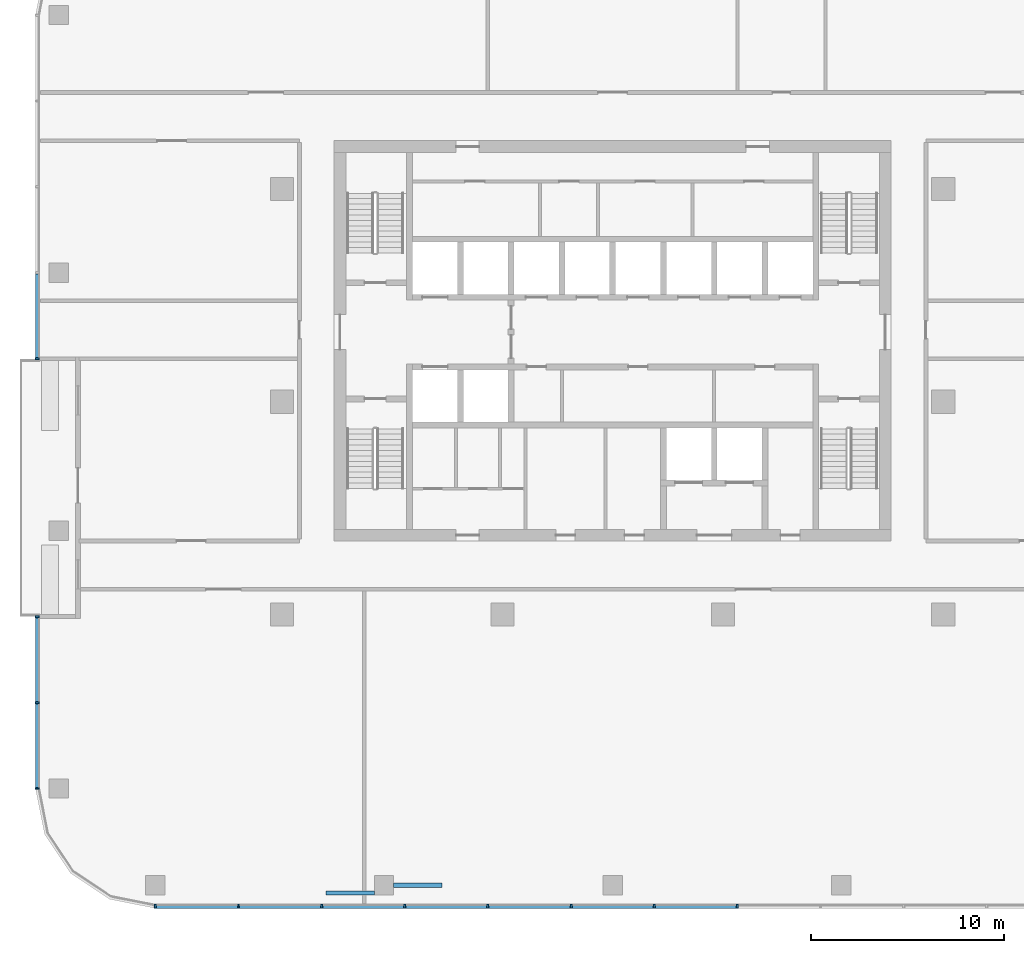
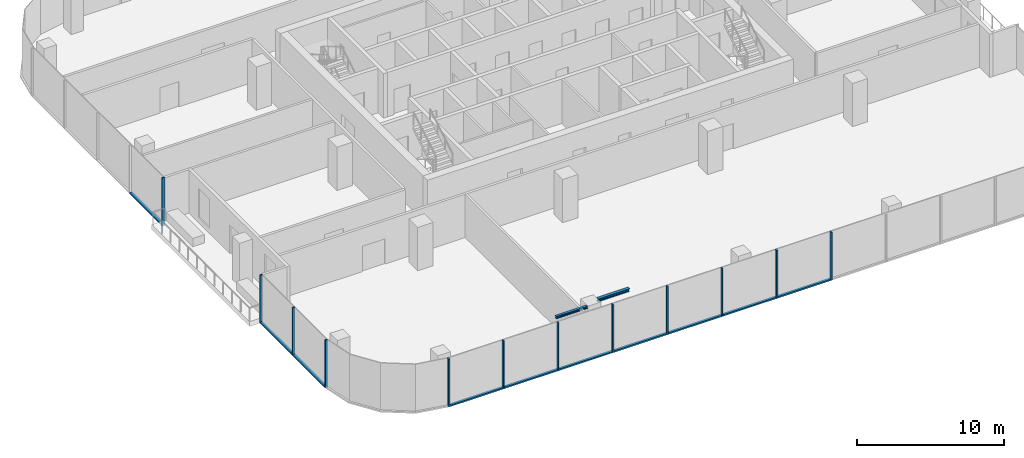
# One storey, part 2 of 13: 22 members, 2 beams, 3 elements without a shape of their own.
"""IFC4 building model written with IfcOpenShell, lengths in metres."""

from ifc_helpers import new_model, si_unit, direction, frame, origin, origin_2d, place, context, subcontext, project, spatial, rectangle, i_section, extrude, material, material_profile, profile_set, type_object, element, aggregate, save


model = new_model("IFC4")

# Units and contexts
model_context = context("Model", 3, precision=1e-05, world=origin(), true_north=direction((0.0, 1.0)))
body_context = subcontext(model_context, "Body", "Model", "MODEL_VIEW")
ifc_project = project(units=[si_unit("LENGTHUNIT", "METRE"), si_unit("AREAUNIT", "SQUARE_METRE"), si_unit("VOLUMEUNIT", "CUBIC_METRE"), si_unit("PLANEANGLEUNIT", "RADIAN"), si_unit("MASSUNIT", "GRAM", prefix="KILO")], contexts=[model_context])

# Site, building, storey
site_placement = place(None, origin())
site = spatial("IfcSite", under=ifc_project, at=site_placement, CompositionType="ELEMENT")
building_placement = place(site_placement, origin())
building = spatial("IfcBuilding", under=site, at=building_placement, Name="Mopane Tessera Tower", CompositionType="ELEMENT")
storey_placement = place(building_placement, frame((0.0, 0.0, 287.39990234375)))
storey = spatial("IfcBuildingStorey", under=building, at=storey_placement, Name="L62", CompositionType="ELEMENT", Elevation=287.39990234375)

# Curtain wall, members
ifc_material_1 = material(Name="Aluminium frame", Category="aluminium")
curtain_wall_type = type_object("IfcCurtainWallType", Name="Unitised curtain wall", PredefinedType="NOTDEFINED", material=ifc_material_1)
curtain_wall_1_placement = place(storey_placement, origin())
curtain_wall_1 = element("IfcCurtainWall", 1, at=curtain_wall_1_placement, inside=storey, type_object=curtain_wall_type, Name="e:cw:L62:S:0", PredefinedType="NOTDEFINED")
ifc_material_2 = material(Name="Aluminium frame", Category="aluminium")
ifc_material_profile_1 = material_profile(ifc_material_2, rectangle(XDim=0.10009765625, YDim=0.199951171875, at=origin_2d()))
ifc_profile_set_1 = profile_set([ifc_material_profile_1], Name="Aluminium frame")
member_type_1 = type_object("IfcMemberType", Name="Aluminium mullion 100 x 200", PredefinedType="MULLION", material=ifc_profile_set_1)
member_1_placement = place(storey_placement, frame((-23.64990234375, -26.10009765625, -0.39990234375), z_axis=(0.0, 0.0, 1.0), x_axis=(1.0, 0.0, 0.0)))
member_1 = element("IfcMember", 2, at=member_1_placement, type_object=member_type_1, Name="e:cw:L62:S:0:mu0", PredefinedType="MULLION", context=body_context, shape_type="SweptSolid", body=[
    extrude(rectangle(XDim=0.10009765625, YDim=0.199951171875, at=origin_2d()), origin(), (0.0, 0.0, 1.0), 4.0),
])
member_2_placement = place(storey_placement, frame((-19.35009765625, -26.10009765625, -0.39990234375), z_axis=(0.0, 0.0, 1.0), x_axis=(1.0, 0.0, 0.0)))
member_2 = element("IfcMember", 3, at=member_2_placement, type_object=member_type_1, Name="e:cw:L62:S:0:mu1", PredefinedType="MULLION", context=body_context, shape_type="SweptSolid", body=[
    extrude(rectangle(XDim=0.10009765625, YDim=0.199951171875, at=origin_2d()), origin(), (0.0, 0.0, 1.0), 4.0),
])
member_3_placement = place(storey_placement, frame((-15.050048828125, -26.10009765625, -0.39990234375), z_axis=(0.0, 0.0, 1.0), x_axis=(1.0, 0.0, 0.0)))
member_3 = element("IfcMember", 4, at=member_3_placement, type_object=member_type_1, Name="e:cw:L62:S:0:mu2", PredefinedType="MULLION", context=body_context, shape_type="SweptSolid", body=[
    extrude(rectangle(XDim=0.10009765625, YDim=0.199951171875, at=origin_2d()), origin(), (0.0, 0.0, 1.0), 4.0),
])
member_4_placement = place(storey_placement, frame((-10.75, -26.10009765625, -0.39990234375), z_axis=(0.0, 0.0, 1.0), x_axis=(1.0, 0.0, 0.0)))
member_4 = element("IfcMember", 5, at=member_4_placement, type_object=member_type_1, Name="e:cw:L62:S:0:mu3", PredefinedType="MULLION", context=body_context, shape_type="SweptSolid", body=[
    extrude(rectangle(XDim=0.10009765625, YDim=0.199951171875, at=origin_2d()), origin(), (0.0, 0.0, 1.0), 4.0),
])
member_5_placement = place(storey_placement, frame((-6.449951171875, -26.10009765625, -0.39990234375), z_axis=(0.0, 0.0, 1.0), x_axis=(1.0, 0.0, 0.0)))
member_5 = element("IfcMember", 6, at=member_5_placement, type_object=member_type_1, Name="e:cw:L62:S:0:mu4", PredefinedType="MULLION", context=body_context, shape_type="SweptSolid", body=[
    extrude(rectangle(XDim=0.10009765625, YDim=0.199951171875, at=origin_2d()), origin(), (0.0, 0.0, 1.0), 4.0),
])
member_6_placement = place(storey_placement, frame((-2.14990234375, -26.10009765625, -0.39990234375), z_axis=(0.0, 0.0, 1.0), x_axis=(1.0, 0.0, 0.0)))
member_6 = element("IfcMember", 7, at=member_6_placement, type_object=member_type_1, Name="e:cw:L62:S:0:mu5", PredefinedType="MULLION", context=body_context, shape_type="SweptSolid", body=[
    extrude(rectangle(XDim=0.10009765625, YDim=0.199951171875, at=origin_2d()), origin(), (0.0, 0.0, 1.0), 4.0),
])
member_7_placement = place(storey_placement, frame((2.14990234375, -26.10009765625, -0.39990234375), z_axis=(0.0, 0.0, 1.0), x_axis=(1.0, 0.0, 0.0)))
member_7 = element("IfcMember", 8, at=member_7_placement, type_object=member_type_1, Name="e:cw:L62:S:0:mu6", PredefinedType="MULLION", context=body_context, shape_type="SweptSolid", body=[
    extrude(rectangle(XDim=0.10009765625, YDim=0.199951171875, at=origin_2d()), origin(), (0.0, 0.0, 1.0), 4.0),
])
member_8_placement = place(storey_placement, frame((6.449951171875, -26.10009765625, -0.39990234375), z_axis=(0.0, 0.0, 1.0), x_axis=(1.0, 0.0, 0.0)))
member_8 = element("IfcMember", 9, at=member_8_placement, type_object=member_type_1, Name="e:cw:L62:S:0:mu7", PredefinedType="MULLION", context=body_context, shape_type="SweptSolid", body=[
    extrude(rectangle(XDim=0.10009765625, YDim=0.199951171875, at=origin_2d()), origin(), (0.0, 0.0, 1.0), 4.0),
])

# Curtain wall, member
curtain_wall_2_placement = place(storey_placement, origin())
curtain_wall_2 = element("IfcCurtainWall", 10, at=curtain_wall_2_placement, inside=storey, type_object=curtain_wall_type, Name="e:cw:L62:W:0", PredefinedType="NOTDEFINED")
member_9_placement = place(storey_placement, frame((-29.75, 2.22216796875, -0.39990234375), z_axis=(0.0, 0.0, 1.0), x_axis=(0.0, -1.0, 0.0)))
member_9 = element("IfcMember", 11, at=member_9_placement, type_object=member_type_1, Name="e:cw:L62:W:0:mu4", PredefinedType="MULLION", context=body_context, shape_type="SweptSolid", body=[
    extrude(rectangle(XDim=0.10009765625, YDim=0.199951171875, at=origin_2d()), origin(), (0.0, 0.0, 1.0), 4.0),
])

# Curtain wall, members
curtain_wall_3_placement = place(storey_placement, origin())
curtain_wall_3 = element("IfcCurtainWall", 12, at=curtain_wall_3_placement, inside=storey, type_object=curtain_wall_type, Name="e:cw:L62:W:7", PredefinedType="NOTDEFINED")
member_10_placement = place(storey_placement, frame((-29.75, -11.111083984375, -0.39990234375), z_axis=(0.0, 0.0, 1.0), x_axis=(0.0, -1.0, 0.0)))
member_10 = element("IfcMember", 13, at=member_10_placement, type_object=member_type_1, Name="e:cw:L62:W:7:mu7", PredefinedType="MULLION", context=body_context, shape_type="SweptSolid", body=[
    extrude(rectangle(XDim=0.10009765625, YDim=0.199951171875, at=origin_2d()), origin(), (0.0, 0.0, 1.0), 4.0),
])
member_11_placement = place(storey_placement, frame((-29.75, -15.5556640625, -0.39990234375), z_axis=(0.0, 0.0, 1.0), x_axis=(0.0, -1.0, 0.0)))
member_11 = element("IfcMember", 14, at=member_11_placement, type_object=member_type_1, Name="e:cw:L62:W:7:mu8", PredefinedType="MULLION", context=body_context, shape_type="SweptSolid", body=[
    extrude(rectangle(XDim=0.10009765625, YDim=0.199951171875, at=origin_2d()), origin(), (0.0, 0.0, 1.0), 4.0),
])
member_12_placement = place(storey_placement, frame((-29.75, -20.0, -0.39990234375), z_axis=(0.0, 0.0, 1.0), x_axis=(0.0, -1.0, 0.0)))
member_12 = element("IfcMember", 15, at=member_12_placement, type_object=member_type_1, Name="e:cw:L62:W:7:mu9", PredefinedType="MULLION", context=body_context, shape_type="SweptSolid", body=[
    extrude(rectangle(XDim=0.10009765625, YDim=0.199951171875, at=origin_2d()), origin(), (0.0, 0.0, 1.0), 4.0),
])

# Member
ifc_material_3 = material(Name="Aluminium frame", Category="aluminium")
ifc_material_profile_2 = material_profile(ifc_material_3, rectangle(XDim=0.199951171875, YDim=0.1201171875, at=origin_2d()))
ifc_profile_set_2 = profile_set([ifc_material_profile_2], Name="Aluminium frame")
member_type_2 = type_object("IfcMemberType", Name="Aluminium transom 200 x 120", PredefinedType="USERDEFINED", material=ifc_profile_set_2)
member_13_placement = place(storey_placement, frame((-23.60009765625, -26.10009765625, -0.33984375), z_axis=(1.0, 0.0, 0.0), x_axis=(0.0, 1.0, 0.0)))
member_13 = element("IfcMember", 16, at=member_13_placement, type_object=member_type_2, Name="e:cw:L62:S:0:tr0", ObjectType="TRANSOM", PredefinedType="USERDEFINED", context=body_context, shape_type="SweptSolid", body=[
    extrude(rectangle(XDim=0.199951171875, YDim=0.1201171875, at=origin_2d()), origin(), (0.0, 0.0, 1.0), 4.2001953125),
])

member_14_placement = place(storey_placement, frame((-19.300048828125, -26.10009765625, -0.33984375), z_axis=(1.0, 0.0, 0.0), x_axis=(0.0, 1.0, 0.0)))
member_14 = element("IfcMember", 17, at=member_14_placement, type_object=member_type_2, Name="e:cw:L62:S:0:tr1", ObjectType="TRANSOM", PredefinedType="USERDEFINED", context=body_context, shape_type="SweptSolid", body=[
    extrude(rectangle(XDim=0.199951171875, YDim=0.1201171875, at=origin_2d()), origin(), (0.0, 0.0, 1.0), 4.199951171875),
])

member_15_placement = place(storey_placement, frame((-15.0, -26.10009765625, -0.33984375), z_axis=(1.0, 0.0, 0.0), x_axis=(0.0, 1.0, 0.0)))
member_15 = element("IfcMember", 18, at=member_15_placement, type_object=member_type_2, Name="e:cw:L62:S:0:tr2", ObjectType="TRANSOM", PredefinedType="USERDEFINED", context=body_context, shape_type="SweptSolid", body=[
    extrude(rectangle(XDim=0.199951171875, YDim=0.1201171875, at=origin_2d()), origin(), (0.0, 0.0, 1.0), 4.199951171875),
])

member_16_placement = place(storey_placement, frame((-10.699951171875, -26.10009765625, -0.33984375), z_axis=(1.0, 0.0, 0.0), x_axis=(0.0, 1.0, 0.0)))
member_16 = element("IfcMember", 19, at=member_16_placement, type_object=member_type_2, Name="e:cw:L62:S:0:tr3", ObjectType="TRANSOM", PredefinedType="USERDEFINED", context=body_context, shape_type="SweptSolid", body=[
    extrude(rectangle(XDim=0.199951171875, YDim=0.1201171875, at=origin_2d()), origin(), (0.0, 0.0, 1.0), 4.199951171875),
])

member_17_placement = place(storey_placement, frame((-6.39990234375, -26.10009765625, -0.33984375), z_axis=(1.0, 0.0, 0.0), x_axis=(0.0, 1.0, 0.0)))
member_17 = element("IfcMember", 20, at=member_17_placement, type_object=member_type_2, Name="e:cw:L62:S:0:tr4", ObjectType="TRANSOM", PredefinedType="USERDEFINED", context=body_context, shape_type="SweptSolid", body=[
    extrude(rectangle(XDim=0.199951171875, YDim=0.1201171875, at=origin_2d()), origin(), (0.0, 0.0, 1.0), 4.199951171875),
])

member_18_placement = place(storey_placement, frame((-2.10009765625, -26.10009765625, -0.33984375), z_axis=(1.0, 0.0, 0.0), x_axis=(0.0, 1.0, 0.0)))
member_18 = element("IfcMember", 21, at=member_18_placement, type_object=member_type_2, Name="e:cw:L62:S:0:tr5", ObjectType="TRANSOM", PredefinedType="USERDEFINED", context=body_context, shape_type="SweptSolid", body=[
    extrude(rectangle(XDim=0.199951171875, YDim=0.1201171875, at=origin_2d()), origin(), (0.0, 0.0, 1.0), 4.2001953125),
])

member_19_placement = place(storey_placement, frame((2.199951171875, -26.10009765625, -0.33984375), z_axis=(1.0, 0.0, 0.0), x_axis=(0.0, 1.0, 0.0)))
member_19 = element("IfcMember", 22, at=member_19_placement, type_object=member_type_2, Name="e:cw:L62:S:0:tr6", ObjectType="TRANSOM", PredefinedType="USERDEFINED", context=body_context, shape_type="SweptSolid", body=[
    extrude(rectangle(XDim=0.199951171875, YDim=0.1201171875, at=origin_2d()), origin(), (0.0, 0.0, 1.0), 4.199951171875),
])

aggregate(curtain_wall_1, [member_1, member_2, member_3, member_4, member_5, member_6, member_7, member_8, member_13, member_14, member_15, member_16, member_17, member_18, member_19])

member_20_placement = place(storey_placement, frame((-29.75, 6.61669921875, -0.33984375), z_axis=(0.0, -1.0, 0.0), x_axis=(1.0, 0.0, 0.0)))
member_20 = element("IfcMember", 23, at=member_20_placement, type_object=member_type_2, Name="e:cw:L62:W:0:tr3", ObjectType="TRANSOM", PredefinedType="USERDEFINED", context=body_context, shape_type="SweptSolid", body=[
    extrude(rectangle(XDim=0.199951171875, YDim=0.1201171875, at=origin_2d()), origin(), (0.0, 0.0, 1.0), 4.344482421875),
])

aggregate(curtain_wall_2, [member_9, member_20])

member_21_placement = place(storey_placement, frame((-29.75, -11.1611328125, -0.33984375), z_axis=(0.0, -1.0, 0.0), x_axis=(1.0, 0.0, 0.0)))
member_21 = element("IfcMember", 24, at=member_21_placement, type_object=member_type_2, Name="e:cw:L62:W:7:tr7", ObjectType="TRANSOM", PredefinedType="USERDEFINED", context=body_context, shape_type="SweptSolid", body=[
    extrude(rectangle(XDim=0.199951171875, YDim=0.1201171875, at=origin_2d()), origin(), (0.0, 0.0, 1.0), 4.344482421875),
])

member_22_placement = place(storey_placement, frame((-29.75, -15.60546875, -0.33984375), z_axis=(0.0, -1.0, 0.0), x_axis=(1.0, 0.0, 0.0)))
member_22 = element("IfcMember", 25, at=member_22_placement, type_object=member_type_2, Name="e:cw:L62:W:7:tr8", ObjectType="TRANSOM", PredefinedType="USERDEFINED", context=body_context, shape_type="SweptSolid", body=[
    extrude(rectangle(XDim=0.199951171875, YDim=0.1201171875, at=origin_2d()), origin(), (0.0, 0.0, 1.0), 4.344482421875),
])

aggregate(curtain_wall_3, [member_10, member_11, member_12, member_21, member_22])

# Beams
ifc_material_4 = material(Name="Structural steel S460", Category="steel")
ifc_material_profile_3 = material_profile(ifc_material_4, i_section(OverallWidth=0.239990234375, OverallDepth=0.239990234375, WebThickness=0.010009765625, FlangeThickness=0.01708984375, FilletRadius=0.02099609375, at=origin_2d()))
ifc_profile_set_3 = profile_set([ifc_material_profile_3], Name="Structural steel S460")
beam_type_1 = type_object("IfcBeamType", Name="Terrace spandrel beam HE 240 B", PredefinedType="SPANDREL", material=ifc_profile_set_3)
beam_1_placement = place(storey_placement, frame((-11.322021484375, -25.0, 3.47998046875), z_axis=(1.0, 0.0, 0.0), x_axis=(0.0, 1.0, 0.0)))
element("IfcBeam", 26, at=beam_1_placement, inside=storey, type_object=beam_type_1, Name="Terrace spandrel beam N3 L63", PredefinedType="SPANDREL", context=body_context, shape_type="SweptSolid", body=[
    extrude(i_section(OverallWidth=0.239990234375, OverallDepth=0.239990234375, WebThickness=0.010009765625, FlangeThickness=0.01708984375, FilletRadius=0.02099609375, at=origin_2d()), origin(), (0.0, 0.0, 1.0), 2.5),
])
ifc_material_5 = material(Name="Structural steel S460", Category="steel")
ifc_material_profile_4 = material_profile(ifc_material_5, i_section(OverallWidth=0.199951171875, OverallDepth=0.199951171875, WebThickness=0.009033203125, FlangeThickness=0.014892578125, FilletRadius=0.01806640625, at=origin_2d()))
ifc_profile_set_4 = profile_set([ifc_material_profile_4], Name="Structural steel S460")
beam_type_2 = type_object("IfcBeamType", Name="Terrace trimmer beam HE 200 B", PredefinedType="BEAM", material=ifc_profile_set_4)
beam_2_placement = place(storey_placement, frame((-12.327880859375, -25.39990234375, 3.5), z_axis=(-1.0, 0.0, 0.0), x_axis=(0.0, -1.0, 0.0)))
element("IfcBeam", 27, at=beam_2_placement, inside=storey, type_object=beam_type_2, Name="Terrace trimmer beam N3 L63", PredefinedType="BEAM", context=body_context, shape_type="SweptSolid", body=[
    extrude(i_section(OverallWidth=0.199951171875, OverallDepth=0.199951171875, WebThickness=0.009033203125, FlangeThickness=0.014892578125, FilletRadius=0.01806640625, at=origin_2d()), origin(), (0.0, 0.0, 1.0), 2.5),
])

save(model, "model.ifc")
